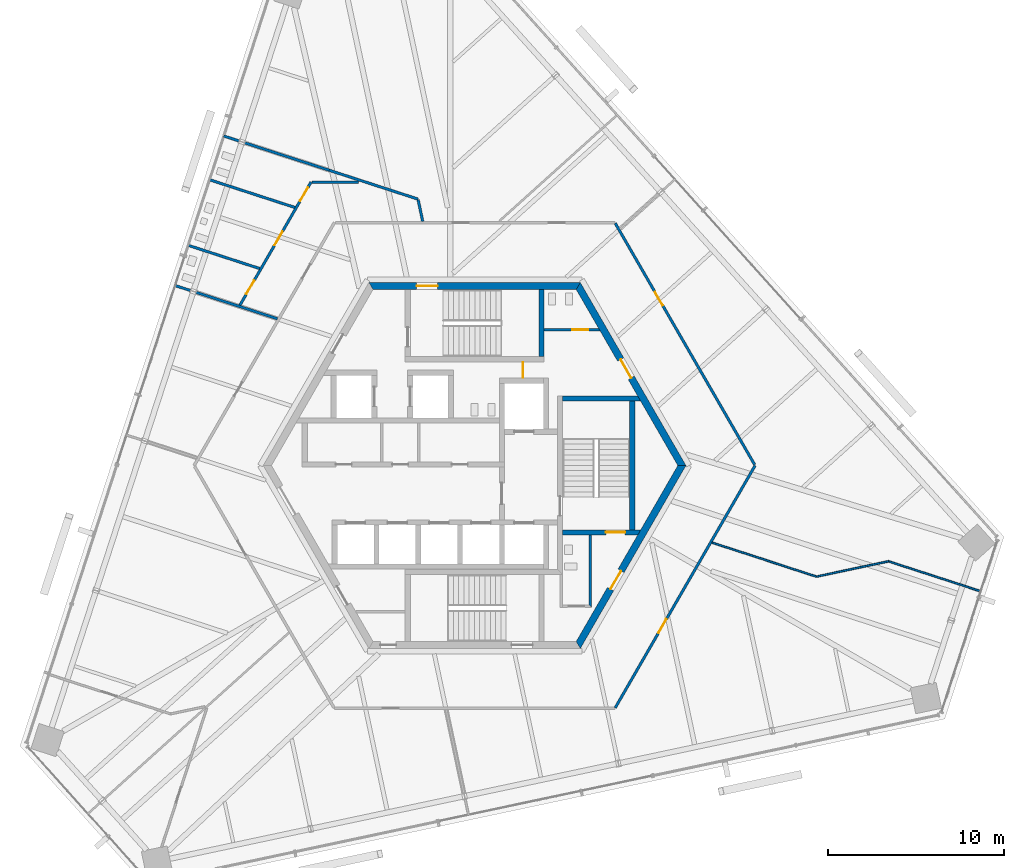
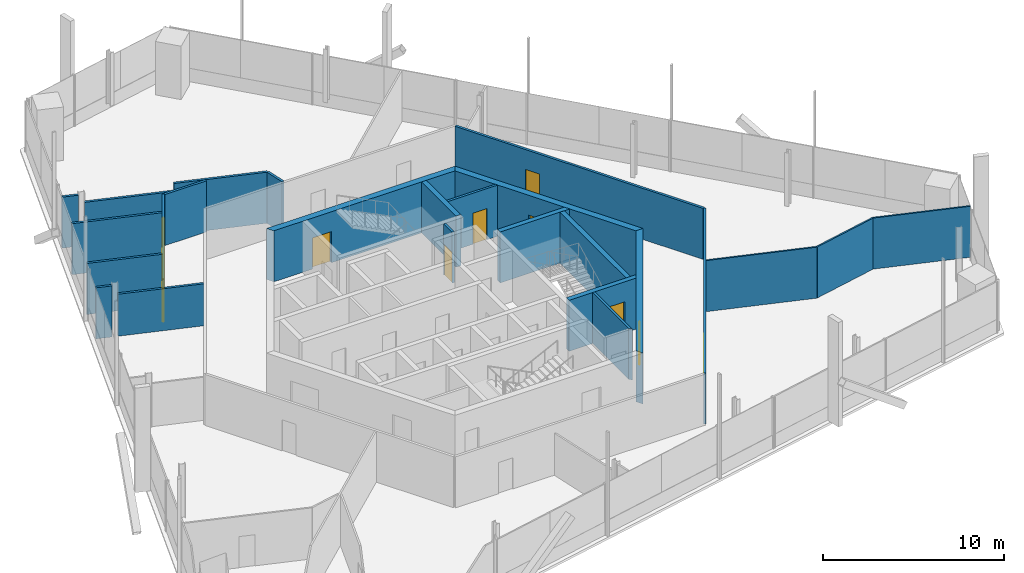
# One storey, part 11 of 16: 25 walls, 11 doors, 11 openings.
"""IFC4 building model written with IfcOpenShell, lengths in metres."""

import ifcopenshell
import ifcopenshell.guid

model = None  # the IFC model being written
_history = None  # IfcOwnerHistory: only IFC2X3 demands one
_inside = {}  # id of a spatial element -> (the spatial element, [elements in it])
_under = {}  # id of a project, library or spatial element -> (it, [spatial elements below it])
_declared = {}  # id of a project -> (the project, [libraries it declares])
_typed = {}  # id of a type object -> (the type object, [elements of that type])
_made_of = {}  # id of a material, layer set ... -> (it, [elements and type objects made of it])


def new_model(schema):
    """Start an empty IFC model of exactly this schema.

    Asked for "IFC4X3", IfcOpenShell would pick the latest addendum, in which some entities
    have other attributes; the version numbers below select the first issue.
    IFC2X3 requires an IfcOwnerHistory on every rooted entity: one is made here for all.
    """
    global model, _history
    if schema == "IFC4X3":
        model = ifcopenshell.file(schema_version=(4, 3, 0, 0))
    else:
        model = ifcopenshell.file(schema=schema)
    _inside.clear()
    _under.clear()
    _declared.clear()
    _typed.clear()
    _made_of.clear()
    _history = None
    if model.schema == "IFC2X3":
        org = make("IfcOrganization", Name="unknown")
        user = make(
            "IfcPersonAndOrganization",
            ThePerson=make("IfcPerson", FamilyName="unknown"),
            TheOrganization=org,
        )
        app = make(
            "IfcApplication",
            ApplicationDeveloper=org,
            Version="unknown",
            ApplicationFullName="unknown",
            ApplicationIdentifier="unknown",
        )
        _history = make(
            "IfcOwnerHistory",
            OwningUser=user,
            OwningApplication=app,
            ChangeAction="ADDED",
            CreationDate=0,
        )
    return model


def make(cls, **values):
    """One entity of the class cls with the attributes given. An attribute that is None is left unset."""
    return model.create_entity(
        cls, **{name: value for name, value in values.items() if value is not None}
    )


def rooted(cls, **values):
    """An entity with a GlobalId (a new one), such as an element, a storey or a relation."""
    return make(cls, GlobalId=ifcopenshell.guid.new(), OwnerHistory=_history, **values)


def si_unit(unit_type, name, prefix=None):
    """IfcSIUnit, for example si_unit("LENGTHUNIT", "METRE", prefix="MILLI")."""
    return make("IfcSIUnit", UnitType=unit_type, Prefix=prefix, Name=name)


def assignment(units):
    """IfcUnitAssignment: the units of a project."""
    return None if units is None else make("IfcUnitAssignment", Units=units)


def point(xyz):
    """IfcCartesianPoint."""
    return None if xyz is None else make("IfcCartesianPoint", Coordinates=xyz)


def direction(xyz):
    """IfcDirection."""
    return None if xyz is None else make("IfcDirection", DirectionRatios=xyz)


def frame(location, z_axis=None, x_axis=None):
    """IfcAxis2Placement3D, a coordinate frame: its origin and axes. An axis left out is left unset."""
    return make(
        "IfcAxis2Placement3D",
        Location=point(location),
        Axis=direction(z_axis),
        RefDirection=direction(x_axis),
    )


def frame_2d(location, x_axis=None):
    """IfcAxis2Placement2D, a coordinate frame in the plane: its origin and x axis."""
    return make(
        "IfcAxis2Placement2D", Location=point(location), RefDirection=direction(x_axis)
    )


def origin():
    """The frame at (0, 0, 0) with its axes left unset."""
    return frame((0.0, 0.0, 0.0))


def place(relative_to, where):
    """IfcLocalPlacement: puts the frame where relative to a parent placement (None: the world)."""
    return make(
        "IfcLocalPlacement", PlacementRelTo=relative_to, RelativePlacement=where
    )


def context(
    kind, dimensions, precision=None, world=None, true_north=None, identifier=None
):
    """IfcGeometricRepresentationContext, for example the 3D "Model" context."""
    return make(
        "IfcGeometricRepresentationContext",
        ContextIdentifier=identifier,
        ContextType=kind,
        CoordinateSpaceDimension=dimensions,
        Precision=precision,
        WorldCoordinateSystem=world,
        TrueNorth=true_north,
    )


def subcontext(parent, identifier, kind, view, scale=None):
    """IfcGeometricRepresentationSubContext, for example "Body" below "Model"."""
    return make(
        "IfcGeometricRepresentationSubContext",
        ContextIdentifier=identifier,
        ContextType=kind,
        ParentContext=parent,
        TargetScale=scale,
        TargetView=view,
    )


def project(units=None, contexts=None):
    """IfcProject with its units and contexts."""
    return rooted(
        "IfcProject",
        Name="project",
        RepresentationContexts=contexts,
        UnitsInContext=assignment(units),
    )


def spatial(cls, under=None, at=None, **own):
    """A site, building, storey or space (cls), placed at a placement, below another one or the project."""
    s = rooted(cls, ObjectPlacement=at, **own)
    if under is not None:
        _under.setdefault(under.id(), (under, []))[1].append(s)
    return s


def polyline(points):
    """IfcPolyline through the points."""
    return make("IfcPolyline", Points=[point(p) for p in points])


def profile(cls, at=None, kind="AREA", **sizes):
    """A parametric profile (cls). Its sizes go by their IFC names, for example OverallWidth=200.0."""
    return make(cls, ProfileType=kind, Position=at, **sizes)


def rectangle(**sizes):
    """IfcRectangleProfileDef."""
    return profile("IfcRectangleProfileDef", **sizes)


def outline(outer, holes=None, kind="AREA"):
    """IfcArbitraryClosedProfileDef: a profile drawn as a closed curve; with holes, ...WithVoids."""
    if holes is None:
        return make("IfcArbitraryClosedProfileDef", ProfileType=kind, OuterCurve=outer)
    return make(
        "IfcArbitraryProfileDefWithVoids",
        ProfileType=kind,
        OuterCurve=outer,
        InnerCurves=holes,
    )


def extrude(swept, where, along, depth):
    """IfcExtrudedAreaSolid: the profile swept, set in the frame where, extruded along a direction by depth."""
    return make(
        "IfcExtrudedAreaSolid",
        SweptArea=swept,
        Position=where,
        ExtrudedDirection=direction(along),
        Depth=depth,
    )


def shape(context_of_items, identifier, shape_type, items):
    """IfcShapeRepresentation: the items that make up one representation, for example the "Body"."""
    return make(
        "IfcShapeRepresentation",
        ContextOfItems=context_of_items,
        RepresentationIdentifier=identifier,
        RepresentationType=shape_type,
        Items=items,
    )


def source(mapping_origin, context_of_items, identifier, shape_type, items):
    """IfcRepresentationMap: a shape defined once, which mapped items show again and again."""
    return make(
        "IfcRepresentationMap",
        MappingOrigin=mapping_origin,
        MappedRepresentation=shape(context_of_items, identifier, shape_type, items),
    )


def transform(
    local_origin,
    x_axis=None,
    y_axis=None,
    z_axis=None,
    scale=None,
    scale2=None,
    scale3=None,
    uniform=True,
):
    """IfcCartesianTransformationOperator3D, or its non-uniform kind. x_axis, y_axis, z_axis: its Axis1, 2, 3."""
    if uniform:
        return make(
            "IfcCartesianTransformationOperator3D",
            Axis1=direction(x_axis),
            Axis2=direction(y_axis),
            LocalOrigin=point(local_origin),
            Scale=scale,
            Axis3=direction(z_axis),
        )
    return make(
        "IfcCartesianTransformationOperator3DnonUniform",
        Axis1=direction(x_axis),
        Axis2=direction(y_axis),
        LocalOrigin=point(local_origin),
        Scale=scale,
        Axis3=direction(z_axis),
        Scale2=scale2,
        Scale3=scale3,
    )


def mapped(mapping_source, mapping_target):
    """IfcMappedItem: shows the shape of a source again, moved by a transform."""
    return make(
        "IfcMappedItem", MappingSource=mapping_source, MappingTarget=mapping_target
    )


def material(Name=None, Category=None):
    """IfcMaterial."""
    return make("IfcMaterial", Name=Name, Category=Category)


def layer(
    of_material, thickness, ventilated=None, Name=None, Category=None, Priority=None
):
    """IfcMaterialLayer: one layer of a wall or slab, of a material (None: an air gap)."""
    return make(
        "IfcMaterialLayer",
        Material=of_material,
        LayerThickness=thickness,
        IsVentilated=ventilated,
        Name=Name,
        Category=Category,
        Priority=Priority,
    )


def layer_set(layers, Name=None):
    """IfcMaterialLayerSet."""
    return make("IfcMaterialLayerSet", MaterialLayers=layers, LayerSetName=Name)


def made_of(thing, what):
    """Note that an element or type object is made of a material, layer set ...; save() writes the relation."""
    if what is not None:
        _made_of.setdefault(what.id(), (what, []))[1].append(thing)
    return thing


def type_object(cls, material=None, **own):
    """A type object (cls), such as IfcWallType, which elements share."""
    return made_of(rooted(cls, **own), material)


def element(
    cls,
    number,
    at=None,
    inside=None,
    cuts=None,
    type_object=None,
    material=None,
    context=None,
    identifier="Body",
    shape_type=None,
    held_by="IfcProductDefinitionShape",
    body=None,
    shapes=None,
    **own,
):
    """One element of the class cls, such as IfcWall. Its Tag is "e" and its number.

    at: its placement. inside: the storey or other place that contains it. cuts: it is an
    opening in that element (IfcRelVoidsElement). A single representation is given by context,
    identifier, shape_type and body (its items); several are given by shapes. held_by: the class
    of the entity that holds the representations. save() writes the other relations.
    """
    e = rooted(cls, Tag="e%d" % number, ObjectPlacement=at, **own)
    if body is not None:
        shapes = [shape(context, identifier, shape_type, body)]
    if shapes is not None:
        e.Representation = make(held_by, Representations=shapes)
    if inside is not None:
        _inside.setdefault(inside.id(), (inside, []))[1].append(e)
    if cuts is not None:
        rooted(
            "IfcRelVoidsElement", RelatingBuildingElement=cuts, RelatedOpeningElement=e
        )
    if type_object is not None:
        _typed.setdefault(type_object.id(), (type_object, []))[1].append(e)
    return made_of(e, material)


def fill(opening, filler):
    """IfcRelFillsElement: the door or window that sits in an opening."""
    return rooted(
        "IfcRelFillsElement",
        RelatingOpeningElement=opening,
        RelatedBuildingElement=filler,
    )


def aggregate(whole, parts):
    """IfcRelAggregates: a whole, such as a stair, and the parts it consists of."""
    return rooted("IfcRelAggregates", RelatingObject=whole, RelatedObjects=parts)


def save(model, path):
    """Write the relations noted so far, then the file.

    IfcRelAggregates (storeys below a building ...), IfcRelContainedInSpatialStructure (elements
    in a storey), IfcRelDefinesByType, IfcRelAssociatesMaterial and IfcRelDeclares: one each for
    every whole, place, type object, material and project.
    """
    for whole, parts in _under.values():
        aggregate(whole, parts)
    for where, things in _inside.values():
        rooted(
            "IfcRelContainedInSpatialStructure",
            RelatedElements=things,
            RelatingStructure=where,
        )
    for kind, things in _typed.values():
        rooted("IfcRelDefinesByType", RelatedObjects=things, RelatingType=kind)
    for what, things in _made_of.values():
        rooted("IfcRelAssociatesMaterial", RelatedObjects=things, RelatingMaterial=what)
    for by, libraries in _declared.values():
        rooted("IfcRelDeclares", RelatingContext=by, RelatedDefinitions=libraries)
    model.write(path)


model = new_model("IFC4")

# Units and contexts
model_context = context("Model", 3, precision=1e-05, world=origin(), true_north=direction((0.0, 1.0)))
body_context = subcontext(model_context, "Body", "Model", "MODEL_VIEW")
ifc_project = project(units=[si_unit("LENGTHUNIT", "METRE"), si_unit("AREAUNIT", "SQUARE_METRE"), si_unit("VOLUMEUNIT", "CUBIC_METRE"), si_unit("PLANEANGLEUNIT", "RADIAN"), si_unit("MASSUNIT", "GRAM", prefix="KILO")], contexts=[model_context])

# Site, building, storey
site_placement = place(None, origin())
site = spatial("IfcSite", under=ifc_project, at=site_placement, CompositionType="ELEMENT")
building_placement = place(site_placement, origin())
building = spatial("IfcBuilding", under=site, at=building_placement, Name="Triune Harvest Tower", CompositionType="ELEMENT")
storey_placement = place(building_placement, frame((0.0, 0.0, 266.699951171875)))
storey = spatial("IfcBuildingStorey", under=building, at=storey_placement, Name="L70", CompositionType="ELEMENT", Elevation=266.699951171875)

# Walls
ifc_material_1 = material(Name="Gypsum board on steel studs", Category="steel")
ifc_layer_1 = layer(ifc_material_1, 0.10009765625)
ifc_layer_set_1 = layer_set([ifc_layer_1], Name="Gypsum board on steel studs")
wall_type_1 = type_object("IfcWallType", Name="Partition 100 mm", PredefinedType="PARTITIONING", material=ifc_layer_set_1)
wall_1_placement = place(storey_placement, frame((23.500732421875, -5.4404296875, 0.0), z_axis=(0.0, 0.0, 1.0), x_axis=(0.951054921763, -0.309021901798, 0.0)))
element("IfcWall", 1, at=wall_1_placement, inside=storey, type_object=wall_type_1, Name="Partition L70 010", PredefinedType="PARTITIONING", context=body_context, shape_type="SweptSolid", body=[
    extrude(rectangle(XDim=5.505859375, YDim=0.10009765625, at=frame_2d((2.7529296875, 0.0))), origin(), (0.0, 0.0, 1.0), 3.43994140625),
])
wall_2_placement = place(storey_placement, frame((19.425537109375, -6.30615234375, 0.0), z_axis=(0.0, 0.0, 1.0), x_axis=(0.978147530748, 0.207912020075, 0.0)))
element("IfcWall", 2, at=wall_2_placement, inside=storey, type_object=wall_type_1, Name="Partition L70 021", PredefinedType="PARTITIONING", context=body_context, shape_type="SweptSolid", body=[
    extrude(rectangle(XDim=4.166259765625, YDim=0.10009765625, at=frame_2d((2.0830078125, 0.0))), origin(), (0.0, 0.0, 1.0), 3.43994140625),
])

# Wall, opening, door
ifc_material_2 = material(Name="Concrete 70 MPa", Category="concrete")
ifc_layer_2 = layer(ifc_material_2, 0.39990234375)
ifc_layer_set_2 = layer_set([ifc_layer_2], Name="Concrete 70 MPa")
wall_type_2 = type_object("IfcWallType", Name="Core wall 400", PredefinedType="SHEAR", material=ifc_layer_set_2)
shared_shape_1 = source(origin(), body_context, "Body", "SweptSolid", [
    extrude(outline(polyline([(-0.115478515625, -0.199951171875), (11.884521484375, -0.199951171875), (11.653564453125, 0.199951171875), (0.115478515625, 0.199951171875), (-0.115478515625, -0.199951171875)])), origin(), (0.0, 0.0, 1.0), 3.43994140625),
])
wall_3_placement = place(storey_placement, frame((11.76904296875, 0.0, 0.0), z_axis=(0.0, 0.0, 1.0), x_axis=(-0.499996592174, 0.866027371285, 0.0)))
wall_3 = element("IfcWall", 3, at=wall_3_placement, inside=storey, type_object=wall_type_2, Name="Hexagon 0 wall", PredefinedType="SHEAR", context=body_context, shape_type="MappedRepresentation", body=[
    mapped(shared_shape_1, transform((0.0, 0.0, 0.0), scale=1.0)),
])
opening_1_placement = place(wall_3_placement, frame((5.75048828125, 0.0, 0.0)))
opening_1 = element("IfcOpeningElement", 4, at=opening_1_placement, cuts=wall_3, Name="Opening CD-WCP", PredefinedType="OPENING", context=body_context, shape_type="SweptSolid", body=[
    extrude(rectangle(XDim=1.199951171875, YDim=2.10009765625, at=frame_2d((0.60009765625, 1.050048828125))), frame((0.0, 0.2099609375, 0.0), z_axis=(0.0, -1.0, 0.0), x_axis=(1.0, 0.0, 0.0)), (0.0, 0.0, 1.0), 0.419921875),
])
ifc_material_3 = material(Name="Steel S235", Category="steel")
door_type_1 = type_object("IfcDoorType", Name="Lobby door 1200 FD120", OperationType="SINGLE_SWING_LEFT", PredefinedType="DOOR", material=ifc_material_3)
door_1_placement = place(opening_1_placement, frame((1.199951171875, 0.0, 0.0), z_axis=(0.0, 0.0, 1.0), x_axis=(-1.0, 0.0, 0.0)))
door_1 = element("IfcDoor", 5, at=door_1_placement, inside=storey, type_object=door_type_1, Name="Door CD-WCP", OperationType="SINGLE_SWING_RIGHT", OverallHeight=2.10009765625, OverallWidth=1.199951171875, PredefinedType="DOOR", context=body_context, shape_type="SweptSolid", body=[
    extrude(rectangle(XDim=1.199951171875, YDim=2.10009765625, at=frame_2d((0.60009765625, 1.050048828125))), frame((0.0, 0.02490234375, 0.0), z_axis=(0.0, -1.0, 0.0), x_axis=(1.0, 0.0, 0.0)), (0.0, 0.0, 1.0), 0.050048828125),
])
fill(opening_1, door_1)

wall_4_placement = place(storey_placement, frame((5.884521484375, 10.1923828125, 0.0), z_axis=(0.0, 0.0, 1.0), x_axis=(-1.0, 0.0, 0.0)))
wall_4 = element("IfcWall", 6, at=wall_4_placement, inside=storey, type_object=wall_type_2, Name="Hexagon 1 wall", PredefinedType="SHEAR", context=body_context, shape_type="MappedRepresentation", body=[
    mapped(shared_shape_1, transform((0.0, 0.0, 0.0), scale=1.0)),
])
opening_2_placement = place(wall_4_placement, frame((7.984619140625, 0.0, 0.0)))
opening_2 = element("IfcOpeningElement", 7, at=opening_2_placement, cuts=wall_4, Name="Opening CD-S1P", PredefinedType="OPENING", context=body_context, shape_type="SweptSolid", body=[
    extrude(rectangle(XDim=1.199951171875, YDim=2.10009765625, at=frame_2d((0.60009765625, 1.050048828125))), frame((0.0, 0.2099609375, 0.0), z_axis=(0.0, -1.0, 0.0), x_axis=(1.0, 0.0, 0.0)), (0.0, 0.0, 1.0), 0.419921875),
])
ifc_material_4 = material(Name="Steel S235", Category="steel")
door_type_2 = type_object("IfcDoorType", Name="Stair door 1200 FD120", OperationType="SINGLE_SWING_LEFT", PredefinedType="DOOR", material=ifc_material_4)
door_2_placement = place(opening_2_placement, frame((1.199951171875, 0.0, 0.0), z_axis=(0.0, 0.0, 1.0), x_axis=(-1.0, 0.0, 0.0)))
door_2 = element("IfcDoor", 8, at=door_2_placement, inside=storey, type_object=door_type_2, Name="Door CD-S1P", OperationType="SINGLE_SWING_RIGHT", OverallHeight=2.10009765625, OverallWidth=1.199951171875, PredefinedType="DOOR", context=body_context, shape_type="SweptSolid", body=[
    extrude(rectangle(XDim=1.199951171875, YDim=2.10009765625, at=frame_2d((0.60009765625, 1.050048828125))), frame((0.0, 0.02490234375, 0.0), z_axis=(0.0, -1.0, 0.0), x_axis=(1.0, 0.0, 0.0)), (0.0, 0.0, 1.0), 0.050048828125),
])
fill(opening_2, door_2)

wall_5_placement = place(storey_placement, frame((5.884521484375, -10.1923828125, 0.0), z_axis=(0.0, 0.0, 1.0), x_axis=(0.499996592174, 0.866027371285, 0.0)))
wall_5 = element("IfcWall", 9, at=wall_5_placement, inside=storey, type_object=wall_type_2, Name="Hexagon 5 wall", PredefinedType="SHEAR", context=body_context, shape_type="MappedRepresentation", body=[
    mapped(shared_shape_1, transform((0.0, 0.0, 0.0), scale=1.0)),
])
opening_3_placement = place(wall_5_placement, frame((3.66455078125, 0.0, 0.0)))
opening_3 = element("IfcOpeningElement", 10, at=opening_3_placement, cuts=wall_5, Name="Opening CD-DP", PredefinedType="OPENING", context=body_context, shape_type="SweptSolid", body=[
    extrude(rectangle(XDim=1.199951171875, YDim=2.10009765625, at=frame_2d((0.60009765625, 1.050048828125))), frame((0.0, 0.2099609375, 0.0), z_axis=(0.0, -1.0, 0.0), x_axis=(1.0, 0.0, 0.0)), (0.0, 0.0, 1.0), 0.419921875),
])
door_3_placement = place(opening_3_placement, frame((1.199951171875, 0.0, 0.0), z_axis=(0.0, 0.0, 1.0), x_axis=(-1.0, 0.0, 0.0)))
door_3 = element("IfcDoor", 11, at=door_3_placement, inside=storey, type_object=door_type_2, Name="Door CD-DP", OperationType="SINGLE_SWING_RIGHT", OverallHeight=2.10009765625, OverallWidth=1.199951171875, PredefinedType="DOOR", context=body_context, shape_type="SweptSolid", body=[
    extrude(rectangle(XDim=1.199951171875, YDim=2.10009765625, at=frame_2d((0.60009765625, 1.050048828125))), frame((0.0, 0.02490234375, 0.0), z_axis=(0.0, -1.0, 0.0), x_axis=(1.0, 0.0, 0.0)), (0.0, 0.0, 1.0), 0.050048828125),
])
fill(opening_3, door_3)

# Wall
ifc_material_5 = material(Name="Concrete 70 MPa", Category="concrete")
ifc_layer_3 = layer(ifc_material_5, 0.300048828125)
ifc_layer_set_3 = layer_set([ifc_layer_3], Name="Concrete 70 MPa")
wall_type_3 = type_object("IfcWallType", Name="Core wall 300", PredefinedType="SHEAR", material=ifc_layer_set_3)
shared_shape_2 = source(origin(), body_context, "Body", "SweptSolid", [
    extrude(outline(polyline([(0.0, -0.14990234375), (0.0, 0.14990234375), (4.260009765625, 0.14990234375), (4.43310546875, -0.14990234375), (0.0, -0.14990234375)])), origin(), (0.0, 0.0, 1.0), 3.43994140625),
])
wall_6_placement = place(storey_placement, frame((5.0, 3.800048828125, 0.0), z_axis=(0.0, 0.0, 1.0), x_axis=(1.0, 0.0, 0.0)))
element("IfcWall", 12, at=wall_6_placement, inside=storey, type_object=wall_type_3, Name="Stair e north wall", PredefinedType="SHEAR", context=body_context, shape_type="MappedRepresentation", body=[
    mapped(shared_shape_2, transform((0.0, 0.0, 0.0), scale=1.0)),
])

# Wall, opening, door
shared_shape_3 = source(origin(), body_context, "Body", "SweptSolid", [
    extrude(outline(polyline([(0.0, -0.14990234375), (0.0, 0.14990234375), (4.43310546875, 0.14990234375), (4.260009765625, -0.14990234375), (0.0, -0.14990234375)])), origin(), (0.0, 0.0, 1.0), 3.43994140625),
])
wall_7_placement = place(storey_placement, frame((5.0, -3.800048828125, 0.0), z_axis=(0.0, 0.0, 1.0), x_axis=(1.0, 0.0, 0.0)))
wall_7 = element("IfcWall", 13, at=wall_7_placement, inside=storey, type_object=wall_type_3, Name="Stair e south wall", PredefinedType="SHEAR", context=body_context, shape_type="MappedRepresentation", body=[
    mapped(shared_shape_3, transform((0.0, 0.0, 0.0), scale=1.0)),
])
opening_4_placement = place(wall_7_placement, frame((2.449951171875, 0.0, 0.0)))
opening_4 = element("IfcOpeningElement", 14, at=opening_4_placement, cuts=wall_7, Name="Opening CD-S3D", PredefinedType="OPENING", context=body_context, shape_type="SweptSolid", body=[
    extrude(rectangle(XDim=1.10009765625, YDim=2.10009765625, at=frame_2d((0.550048828125, 1.050048828125))), frame((0.0, 0.16015625, 0.0), z_axis=(0.0, -1.0, 0.0), x_axis=(1.0, 0.0, 0.0)), (0.0, 0.0, 1.0), 0.320068359375),
])
ifc_material_6 = material(Name="Steel S235", Category="steel")
door_type_3 = type_object("IfcDoorType", Name="Stair door 1100 FD120", OperationType="SINGLE_SWING_LEFT", PredefinedType="DOOR", material=ifc_material_6)
door_4_placement = place(opening_4_placement, frame((1.10009765625, 0.0, 0.0), z_axis=(0.0, 0.0, 1.0), x_axis=(-1.0, 0.0, 0.0)))
door_4 = element("IfcDoor", 15, at=door_4_placement, inside=storey, type_object=door_type_3, Name="Door CD-S3D", OperationType="SINGLE_SWING_RIGHT", OverallHeight=2.10009765625, OverallWidth=1.10009765625, PredefinedType="DOOR", context=body_context, shape_type="SweptSolid", body=[
    extrude(rectangle(XDim=1.10009765625, YDim=2.10009765625, at=frame_2d((0.550048828125, 1.050048828125))), frame((0.0, 0.02490234375, 0.0), z_axis=(0.0, -1.0, 0.0), x_axis=(1.0, 0.0, 0.0)), (0.0, 0.0, 1.0), 0.050048828125),
])
fill(opening_4, door_4)

# Walls
shared_shape_4 = source(origin(), body_context, "Body", "SweptSolid", [
    extrude(rectangle(XDim=7.2998046875, YDim=0.300048828125, at=frame_2d((3.64990234375, 0.0))), origin(), (0.0, 0.0, 1.0), 3.43994140625),
])
wall_8_placement = place(storey_placement, frame((8.949951171875, -3.64990234375, 0.0), z_axis=(0.0, 0.0, 1.0), x_axis=(0.0, 1.0, 0.0)))
element("IfcWall", 16, at=wall_8_placement, inside=storey, type_object=wall_type_3, Name="Stair e east wall", PredefinedType="SHEAR", context=body_context, shape_type="MappedRepresentation", body=[
    mapped(shared_shape_4, transform((0.0, 0.0, 0.0), scale=1.0)),
])
shared_shape_5 = source(origin(), body_context, "Body", "SweptSolid", [
    extrude(outline(polyline([(0.0, -0.14990234375), (0.0, 0.14990234375), (3.80419921875, 0.14990234375), (3.80419921875, -0.14990234375), (0.0, -0.14990234375)])), origin(), (0.0, 0.0, 1.0), 3.43994140625),
])
wall_9_placement = place(storey_placement, frame((3.800048828125, 6.18994140625, 0.0), z_axis=(0.0, 0.0, 1.0), x_axis=(0.0, 1.0, 0.0)))
element("IfcWall", 17, at=wall_9_placement, inside=storey, type_object=wall_type_3, Name="Stair n east wall", PredefinedType="SHEAR", context=body_context, shape_type="MappedRepresentation", body=[
    mapped(shared_shape_5, transform((0.0, 0.0, 0.0), scale=1.0)),
])
ifc_material_7 = material(Name="Concrete masonry unit", Category="masonry")
ifc_layer_4 = layer(ifc_material_7, 0.14990234375)
ifc_layer_set_4 = layer_set([ifc_layer_4], Name="Concrete masonry unit")
wall_type_4 = type_object("IfcWallType", Name="Block partition 150 unrated", PredefinedType="PARTITIONING", material=ifc_layer_set_4)
shared_shape_6 = source(origin(), body_context, "Body", "SweptSolid", [
    extrude(outline(polyline([(-0.074951171875, -0.074951171875), (4.050048828125, -0.074951171875), (4.050048828125, 0.074951171875), (0.074951171875, 0.074951171875), (-0.074951171875, -0.074951171875)])), origin(), (0.0, 0.0, 1.0), 3.43994140625),
])
wall_10_placement = place(storey_placement, frame((6.574951171875, -8.0, 0.0), z_axis=(0.0, 0.0, 1.0), x_axis=(0.0, 1.0, 0.0)))
element("IfcWall", 18, at=wall_10_placement, inside=storey, type_object=wall_type_4, Name="Wc acc east wall", PredefinedType="PARTITIONING", context=body_context, shape_type="MappedRepresentation", body=[
    mapped(shared_shape_6, transform((0.0, 0.0, 0.0), scale=1.0)),
])

# Wall, opening, door
shared_shape_7 = source(origin(), body_context, "Body", "SweptSolid", [
    extrude(outline(polyline([(0.0, -0.074951171875), (0.0, 0.074951171875), (3.1015625, 0.074951171875), (3.18798828125, -0.074951171875), (0.0, -0.074951171875)])), origin(), (0.0, 0.0, 1.0), 3.43994140625),
])
wall_11_placement = place(storey_placement, frame((3.949951171875, 7.699951171875, 0.0), z_axis=(0.0, 0.0, 1.0), x_axis=(1.0, 0.0, 0.0)))
wall_11 = element("IfcWall", 19, at=wall_11_placement, inside=storey, type_object=wall_type_4, Name="Wc women south wall", PredefinedType="PARTITIONING", context=body_context, shape_type="MappedRepresentation", body=[
    mapped(shared_shape_7, transform((0.0, 0.0, 0.0), scale=1.0)),
])
opening_5_placement = place(wall_11_placement, frame((1.60009765625, 0.0, 0.0)))
opening_5 = element("IfcOpeningElement", 20, at=opening_5_placement, cuts=wall_11, Name="Opening CD-WW", PredefinedType="OPENING", context=body_context, shape_type="SweptSolid", body=[
    extrude(rectangle(XDim=0.89990234375, YDim=2.10009765625, at=frame_2d((0.449951171875, 1.050048828125))), frame((0.0, 0.0849609375, 0.0), z_axis=(0.0, -1.0, 0.0), x_axis=(1.0, 0.0, 0.0)), (0.0, 0.0, 1.0), 0.169921875),
])
ifc_material_8 = material(Name="Timber C24", Category="wood")
door_type_4 = type_object("IfcDoorType", Name="WC door 900", OperationType="SINGLE_SWING_LEFT", PredefinedType="DOOR", material=ifc_material_8)
door_5_placement = place(opening_5_placement, origin())
door_5 = element("IfcDoor", 21, at=door_5_placement, inside=storey, type_object=door_type_4, Name="Door CD-WW", OperationType="SINGLE_SWING_LEFT", OverallHeight=2.10009765625, OverallWidth=0.89990234375, PredefinedType="DOOR", context=body_context, shape_type="SweptSolid", body=[
    extrude(rectangle(XDim=0.89990234375, YDim=2.10009765625, at=frame_2d((0.449951171875, 1.050048828125))), frame((0.0, 0.02490234375, 0.0), z_axis=(0.0, -1.0, 0.0), x_axis=(1.0, 0.0, 0.0)), (0.0, 0.0, 1.0), 0.050048828125),
])
fill(opening_5, door_5)

shared_shape_8 = source(origin(), body_context, "Body", "SweptSolid", [
    extrude(rectangle(XDim=0.929931640625, YDim=0.14990234375, at=frame_2d((0.46484375, 0.0))), origin(), (0.0, 0.0, 1.0), 3.43994140625),
])
wall_12_placement = place(storey_placement, frame((2.75, 4.9599609375, 0.0), z_axis=(0.0, 0.0, 1.0), x_axis=(0.0, 1.0, 0.0)))
wall_12 = element("IfcWall", 22, at=wall_12_placement, inside=storey, type_object=wall_type_4, Name="Wc men east b wall", PredefinedType="PARTITIONING", context=body_context, shape_type="MappedRepresentation", body=[
    mapped(shared_shape_8, transform((0.0, 0.0, 0.0), scale=1.0)),
])
opening_6_placement = place(wall_12_placement, frame((0.014892578125, 0.0, 0.0)))
opening_6 = element("IfcOpeningElement", 23, at=opening_6_placement, cuts=wall_12, Name="Opening CD-WM", PredefinedType="OPENING", context=body_context, shape_type="SweptSolid", body=[
    extrude(rectangle(XDim=0.89990234375, YDim=2.10009765625, at=frame_2d((0.449951171875, 1.050048828125))), frame((0.0, 0.0849609375, 0.0), z_axis=(0.0, -1.0, 0.0), x_axis=(1.0, 0.0, 0.0)), (0.0, 0.0, 1.0), 0.169921875),
])
door_6_placement = place(opening_6_placement, origin())
door_6 = element("IfcDoor", 24, at=door_6_placement, inside=storey, type_object=door_type_4, Name="Door CD-WM", OperationType="SINGLE_SWING_LEFT", OverallHeight=2.10009765625, OverallWidth=0.89990234375, PredefinedType="DOOR", context=body_context, shape_type="SweptSolid", body=[
    extrude(rectangle(XDim=0.89990234375, YDim=2.10009765625, at=frame_2d((0.449951171875, 1.050048828125))), frame((0.0, 0.02490234375, 0.0), z_axis=(0.0, -1.0, 0.0), x_axis=(1.0, 0.0, 0.0)), (0.0, 0.0, 1.0), 0.050048828125),
])
fill(opening_6, door_6)

# Wall
ifc_material_9 = material(Name="Gypsum board on steel studs", Category="steel")
ifc_layer_5 = layer(ifc_material_9, 0.14990234375)
ifc_layer_set_5 = layer_set([ifc_layer_5], Name="Gypsum board on steel studs")
wall_type_5 = type_object("IfcWallType", Name="Fire Partition 150 mm", PredefinedType="PARTITIONING", material=ifc_layer_set_5)
shared_shape_9 = source(origin(), body_context, "Body", "SweptSolid", [
    extrude(rectangle(XDim=1.25341796875, YDim=0.14990234375, at=frame_2d((0.626708984375, 0.0))), origin(), (0.0, 0.0, 1.0), 3.43994140625),
])
wall_13_placement = place(storey_placement, frame((-3.206787109375, 15.0869140625, 0.0), z_axis=(0.0, 0.0, 1.0), x_axis=(0.207826142567, -0.978165780666, 0.0)))
element("IfcWall", 25, at=wall_13_placement, inside=storey, type_object=wall_type_5, Name="Partition L70 003", PredefinedType="PARTITIONING", context=body_context, shape_type="MappedRepresentation", body=[
    mapped(shared_shape_9, transform((0.0, 0.0, 0.0), scale=1.0)),
])

# Wall, opening, door
shared_shape_10 = source(origin(), body_context, "Body", "SweptSolid", [
    extrude(rectangle(XDim=15.83544921875, YDim=0.14990234375, at=frame_2d((7.917724609375, 0.0))), origin(), (0.0, 0.0, 1.0), 3.43994140625),
])
wall_14_placement = place(storey_placement, frame((7.983154296875, 13.757568359375, 0.0), z_axis=(0.0, 0.0, 1.0), x_axis=(0.500012495779, -0.866018189223, 0.0)))
wall_14 = element("IfcWall", 26, at=wall_14_placement, inside=storey, type_object=wall_type_5, Name="Partition L70 005", PredefinedType="PARTITIONING", context=body_context, shape_type="MappedRepresentation", body=[
    mapped(shared_shape_10, transform((0.0, 0.0, 0.0), scale=1.0)),
])
opening_7_placement = place(wall_14_placement, frame((4.5048828125, 0.0, 0.0)))
opening_7 = element("IfcOpeningElement", 27, at=opening_7_placement, cuts=wall_14, Name="Opening L70-001", PredefinedType="OPENING", context=body_context, shape_type="SweptSolid", body=[
    extrude(rectangle(XDim=0.89990234375, YDim=2.10009765625, at=frame_2d((0.449951171875, 1.050048828125))), frame((0.0, 0.0849609375, 0.0), z_axis=(0.0, -1.0, 0.0), x_axis=(1.0, 0.0, 0.0)), (0.0, 0.0, 1.0), 0.169921875),
])
ifc_material_10 = material(Name="Timber and steel door set", Category="steel")
door_type_5 = type_object("IfcDoorType", Name="Single leaf door FD30 left hand 900 x 2100", OperationType="SINGLE_SWING_LEFT", PredefinedType="DOOR", material=ifc_material_10)
door_7_placement = place(opening_7_placement, origin())
door_7 = element("IfcDoor", 28, at=door_7_placement, inside=storey, type_object=door_type_5, Name="Door L70-001 Executive Suite 70.01", OperationType="SINGLE_SWING_LEFT", OverallHeight=2.10009765625, OverallWidth=0.89990234375, PredefinedType="DOOR", context=body_context, shape_type="SweptSolid", body=[
    extrude(rectangle(XDim=0.89990234375, YDim=2.10009765625, at=frame_2d((0.449951171875, 1.050048828125))), frame((0.0, 0.02490234375, 0.0), z_axis=(0.0, -1.0, 0.0), x_axis=(1.0, 0.0, 0.0)), (0.0, 0.0, 1.0), 0.050048828125),
])
fill(opening_7, door_7)

# Walls
shared_shape_11 = source(origin(), body_context, "Body", "SweptSolid", [
    extrude(rectangle(XDim=6.244873046875, YDim=0.10009765625, at=frame_2d((3.12255859375, 0.0))), origin(), (0.0, 0.0, 1.0), 3.43994140625),
])
wall_15_placement = place(storey_placement, frame((13.476806640625, -4.37890625, 0.0), z_axis=(0.0, 0.0, 1.0), x_axis=(0.95106020959, -0.309005627352, 0.0)))
element("IfcWall", 29, at=wall_15_placement, inside=storey, type_object=wall_type_1, Name="Partition L70 009", PredefinedType="PARTITIONING", context=body_context, shape_type="MappedRepresentation", body=[
    mapped(shared_shape_11, transform((0.0, 0.0, 0.0), scale=1.0)),
])
shared_shape_12 = source(origin(), body_context, "Body", "SweptSolid", [
    extrude(rectangle(XDim=0.915283203125, YDim=0.14990234375, at=frame_2d((0.45751953125, 0.0))), origin(), (0.0, 0.0, 1.0), 3.43994140625),
])
wall_16_placement = place(storey_placement, frame((-17.00439453125, 10.21875, 0.0), z_axis=(0.0, 0.0, 1.0), x_axis=(0.951108522522, -0.308856889815, 0.0)))
element("IfcWall", 30, at=wall_16_placement, inside=storey, type_object=wall_type_5, Name="Partition L70 011", PredefinedType="PARTITIONING", context=body_context, shape_type="MappedRepresentation", body=[
    mapped(shared_shape_12, transform((0.0, 0.0, 0.0), scale=1.0)),
])
shared_shape_13 = source(origin(), body_context, "Body", "SweptSolid", [
    extrude(rectangle(XDim=4.852294921875, YDim=0.14990234375, at=frame_2d((2.42626953125, 0.0))), origin(), (0.0, 0.0, 1.0), 2.827880859375),
])
wall_17_placement = place(storey_placement, frame((-15.809814453125, 9.830810546875, 0.0), z_axis=(0.0, 0.0, 1.0), x_axis=(0.951051075925, -0.309033737611, 0.0)))
element("IfcWall", 31, at=wall_17_placement, inside=storey, type_object=wall_type_5, Name="Partition L70 012", PredefinedType="PARTITIONING", context=body_context, shape_type="MappedRepresentation", body=[
    mapped(shared_shape_13, transform((0.0, 0.0, 0.0), scale=1.0)),
])
shared_shape_14 = source(origin(), body_context, "Body", "SweptSolid", [
    extrude(rectangle(XDim=4.266845703125, YDim=0.14990234375, at=frame_2d((2.13330078125, 0.0))), origin(), (0.0, 0.0, 1.0), 3.43994140625),
])
wall_18_placement = place(storey_placement, frame((-16.2626953125, 12.501220703125, 0.0), z_axis=(0.0, 0.0, 1.0), x_axis=(0.951053408584, -0.309026558763, 0.0)))
element("IfcWall", 32, at=wall_18_placement, inside=storey, type_object=wall_type_5, Name="Partition L70 013", PredefinedType="PARTITIONING", context=body_context, shape_type="MappedRepresentation", body=[
    mapped(shared_shape_14, transform((0.0, 0.0, 0.0), scale=1.0)),
])
shared_shape_15 = source(origin(), body_context, "Body", "SweptSolid", [
    extrude(rectangle(XDim=5.099609375, YDim=0.14990234375, at=frame_2d((2.5498046875, 0.0))), origin(), (0.0, 0.0, 1.0), 3.43994140625),
])
wall_19_placement = place(storey_placement, frame((-15.052490234375, 16.2265625, 0.0), z_axis=(0.0, 0.0, 1.0), x_axis=(0.951054471747, -0.309023286778, 0.0)))
element("IfcWall", 33, at=wall_19_placement, inside=storey, type_object=wall_type_5, Name="Partition L70 014", PredefinedType="PARTITIONING", context=body_context, shape_type="MappedRepresentation", body=[
    mapped(shared_shape_15, transform((0.0, 0.0, 0.0), scale=1.0)),
])
shared_shape_16 = source(origin(), body_context, "Body", "SweptSolid", [
    extrude(rectangle(XDim=0.91552734375, YDim=0.14990234375, at=frame_2d((0.457763671875, 0.0))), origin(), (0.0, 0.0, 1.0), 3.43994140625),
])
wall_20_placement = place(storey_placement, frame((-14.24560546875, 18.7099609375, 0.0), z_axis=(0.0, 0.0, 1.0), x_axis=(0.951030148904, -0.309098133084, 0.0)))
element("IfcWall", 34, at=wall_20_placement, inside=storey, type_object=wall_type_5, Name="Partition L70 015", PredefinedType="PARTITIONING", context=body_context, shape_type="MappedRepresentation", body=[
    mapped(shared_shape_16, transform((0.0, 0.0, 0.0), scale=1.0)),
])
shared_shape_17 = source(origin(), body_context, "Body", "SweptSolid", [
    extrude(rectangle(XDim=5.042236328125, YDim=0.14990234375, at=frame_2d((2.52099609375, 0.0))), origin(), (0.0, 0.0, 1.0), 2.904052734375),
])
wall_21_placement = place(storey_placement, frame((-13.051025390625, 18.32177734375, 0.0), z_axis=(0.0, 0.0, 1.0), x_axis=(0.951057550444, -0.309013811574, 0.0)))
element("IfcWall", 35, at=wall_21_placement, inside=storey, type_object=wall_type_5, Name="Partition L70 016", PredefinedType="PARTITIONING", context=body_context, shape_type="MappedRepresentation", body=[
    mapped(shared_shape_17, transform((0.0, 0.0, 0.0), scale=1.0)),
])
shared_shape_18 = source(origin(), body_context, "Body", "SweptSolid", [
    extrude(rectangle(XDim=5.2998046875, YDim=0.14990234375, at=frame_2d((2.64990234375, 0.0))), origin(), (0.0, 0.0, 1.0), 3.43994140625),
])
wall_22_placement = place(storey_placement, frame((-8.255615234375, 16.763671875, 0.0), z_axis=(0.0, 0.0, 1.0), x_axis=(0.951060470027, -0.309004825775, 0.0)))
element("IfcWall", 36, at=wall_22_placement, inside=storey, type_object=wall_type_5, Name="Partition L70 016a", PredefinedType="PARTITIONING", context=body_context, shape_type="MappedRepresentation", body=[
    mapped(shared_shape_18, transform((0.0, 0.0, 0.0), scale=1.0)),
])
shared_shape_19 = source(origin(), body_context, "Body", "SweptSolid", [
    extrude(rectangle(XDim=2.658935546875, YDim=0.14990234375, at=frame_2d((1.32958984375, 0.0))), origin(), (0.0, 0.0, 1.0), 3.43994140625),
])
wall_23_placement = place(storey_placement, frame((-9.240966796875, 16.09228515625, 0.0), z_axis=(0.0, 0.0, 1.0), x_axis=(1.0, 0.0, 0.0)))
element("IfcWall", 37, at=wall_23_placement, inside=storey, type_object=wall_type_5, Name="Partition L70 019", PredefinedType="PARTITIONING", context=body_context, shape_type="MappedRepresentation", body=[
    mapped(shared_shape_19, transform((0.0, 0.0, 0.0), scale=1.0)),
])

# Wall, opening, door
shared_shape_20 = source(origin(), body_context, "Body", "SweptSolid", [
    extrude(rectangle(XDim=15.88623046875, YDim=0.14990234375, at=frame_2d((7.943115234375, 0.0))), origin(), (0.0, 0.0, 1.0), 3.43994140625),
])
wall_24_placement = place(storey_placement, frame((7.98291015625, -13.7578125, 0.0), z_axis=(0.0, 0.0, 1.0), x_axis=(0.500001816864, 0.866024354815, 0.0)))
wall_24 = element("IfcWall", 38, at=wall_24_placement, inside=storey, type_object=wall_type_5, Name="Partition L70 027", PredefinedType="PARTITIONING", context=body_context, shape_type="MappedRepresentation", body=[
    mapped(shared_shape_20, transform((0.0, 0.0, 0.0), scale=1.0)),
])
opening_8_placement = place(wall_24_placement, frame((4.909912109375, 0.0, 0.0)))
opening_8 = element("IfcOpeningElement", 39, at=opening_8_placement, cuts=wall_24, Name="Opening L70-013", PredefinedType="OPENING", context=body_context, shape_type="SweptSolid", body=[
    extrude(rectangle(XDim=0.89990234375, YDim=2.10009765625, at=frame_2d((0.449951171875, 1.050048828125))), frame((0.0, 0.0849609375, 0.0), z_axis=(0.0, -1.0, 0.0), x_axis=(1.0, 0.0, 0.0)), (0.0, 0.0, 1.0), 0.169921875),
])
ifc_material_11 = material(Name="Timber and steel door set", Category="steel")
door_type_6 = type_object("IfcDoorType", Name="Single leaf door FD30 right hand 900 x 2100", OperationType="SINGLE_SWING_RIGHT", PredefinedType="DOOR", material=ifc_material_11)
door_8_placement = place(opening_8_placement, origin())
door_8 = element("IfcDoor", 40, at=door_8_placement, inside=storey, type_object=door_type_6, Name="Door L70-013 Executive Suite 70.13", OperationType="SINGLE_SWING_RIGHT", OverallHeight=2.10009765625, OverallWidth=0.89990234375, PredefinedType="DOOR", context=body_context, shape_type="SweptSolid", body=[
    extrude(rectangle(XDim=0.89990234375, YDim=2.10009765625, at=frame_2d((0.449951171875, 1.050048828125))), frame((0.0, 0.02490234375, 0.0), z_axis=(0.0, -1.0, 0.0), x_axis=(1.0, 0.0, 0.0)), (0.0, 0.0, 1.0), 0.050048828125),
])
fill(opening_8, door_8)

# Wall, openings, doors
shared_shape_21 = source(origin(), body_context, "Body", "SweptSolid", [
    extrude(rectangle(XDim=8.14794921875, YDim=0.14990234375, at=frame_2d((4.073974609375, 0.0))), origin(), (0.0, 0.0, 1.0), 3.43994140625),
])
wall_25_placement = place(storey_placement, frame((-13.36474609375, 9.0361328125, 0.0), z_axis=(0.0, 0.0, 1.0), x_axis=(0.499996520581, 0.866027412618, 0.0)))
wall_25 = element("IfcWall", 41, at=wall_25_placement, inside=storey, type_object=wall_type_5, Name="Partition L70 029", PredefinedType="PARTITIONING", context=body_context, shape_type="MappedRepresentation", body=[
    mapped(shared_shape_21, transform((0.0, 0.0, 0.0), scale=1.0)),
])
opening_9_placement = place(wall_25_placement, frame((6.897705078125, 0.0, 0.0)))
opening_9 = element("IfcOpeningElement", 42, at=opening_9_placement, cuts=wall_25, Name="Opening L70-005", PredefinedType="OPENING", context=body_context, shape_type="SweptSolid", body=[
    extrude(rectangle(XDim=0.89990234375, YDim=2.10009765625, at=frame_2d((0.449951171875, 1.050048828125))), frame((0.0, 0.0849609375, 0.0), z_axis=(0.0, -1.0, 0.0), x_axis=(1.0, 0.0, 0.0)), (0.0, 0.0, 1.0), 0.169921875),
])
opening_10_placement = place(wall_25_placement, frame((4.008056640625, 0.0, 0.0)))
opening_10 = element("IfcOpeningElement", 43, at=opening_10_placement, cuts=wall_25, Name="Opening L70-006", PredefinedType="OPENING", context=body_context, shape_type="SweptSolid", body=[
    extrude(rectangle(XDim=0.89990234375, YDim=2.10009765625, at=frame_2d((0.449951171875, 1.050048828125))), frame((0.0, 0.0849609375, 0.0), z_axis=(0.0, -1.0, 0.0), x_axis=(1.0, 0.0, 0.0)), (0.0, 0.0, 1.0), 0.169921875),
])
opening_11_placement = place(wall_25_placement, frame((0.8037109375, 0.0, 0.0)))
opening_11 = element("IfcOpeningElement", 44, at=opening_11_placement, cuts=wall_25, Name="Opening L70-007", PredefinedType="OPENING", context=body_context, shape_type="SweptSolid", body=[
    extrude(rectangle(XDim=0.89990234375, YDim=2.10009765625, at=frame_2d((0.449951171875, 1.050048828125))), frame((0.0, 0.0849609375, 0.0), z_axis=(0.0, -1.0, 0.0), x_axis=(1.0, 0.0, 0.0)), (0.0, 0.0, 1.0), 0.169921875),
])
door_9_placement = place(opening_11_placement, origin())
door_9 = element("IfcDoor", 45, at=door_9_placement, inside=storey, type_object=door_type_5, Name="Door L70-007 Accessible WC 70.07", OperationType="SINGLE_SWING_LEFT", OverallHeight=2.10009765625, OverallWidth=0.89990234375, PredefinedType="DOOR", context=body_context, shape_type="SweptSolid", body=[
    extrude(rectangle(XDim=0.89990234375, YDim=2.10009765625, at=frame_2d((0.449951171875, 1.050048828125))), frame((0.0, 0.02490234375, 0.0), z_axis=(0.0, -1.0, 0.0), x_axis=(1.0, 0.0, 0.0)), (0.0, 0.0, 1.0), 0.050048828125),
])
fill(opening_11, door_9)
door_10_placement = place(opening_9_placement, origin())
door_10 = element("IfcDoor", 46, at=door_10_placement, inside=storey, type_object=door_type_6, Name="Door L70-005 Women's WC 70.05", OperationType="SINGLE_SWING_RIGHT", OverallHeight=2.10009765625, OverallWidth=0.89990234375, PredefinedType="DOOR", context=body_context, shape_type="SweptSolid", body=[
    extrude(rectangle(XDim=0.89990234375, YDim=2.10009765625, at=frame_2d((0.449951171875, 1.050048828125))), frame((0.0, 0.02490234375, 0.0), z_axis=(0.0, -1.0, 0.0), x_axis=(1.0, 0.0, 0.0)), (0.0, 0.0, 1.0), 0.050048828125),
])
fill(opening_9, door_10)
door_11_placement = place(opening_10_placement, origin())
door_11 = element("IfcDoor", 47, at=door_11_placement, inside=storey, type_object=door_type_6, Name="Door L70-006 Men's WC 70.06", OperationType="SINGLE_SWING_RIGHT", OverallHeight=2.10009765625, OverallWidth=0.89990234375, PredefinedType="DOOR", context=body_context, shape_type="SweptSolid", body=[
    extrude(rectangle(XDim=0.89990234375, YDim=2.10009765625, at=frame_2d((0.449951171875, 1.050048828125))), frame((0.0, 0.02490234375, 0.0), z_axis=(0.0, -1.0, 0.0), x_axis=(1.0, 0.0, 0.0)), (0.0, 0.0, 1.0), 0.050048828125),
])
fill(opening_10, door_11)

save(model, "model.ifc")
